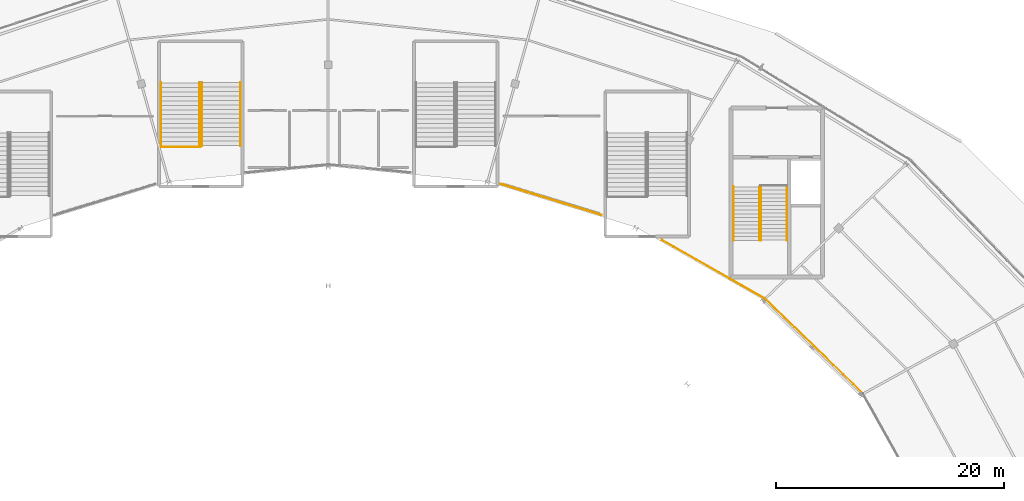
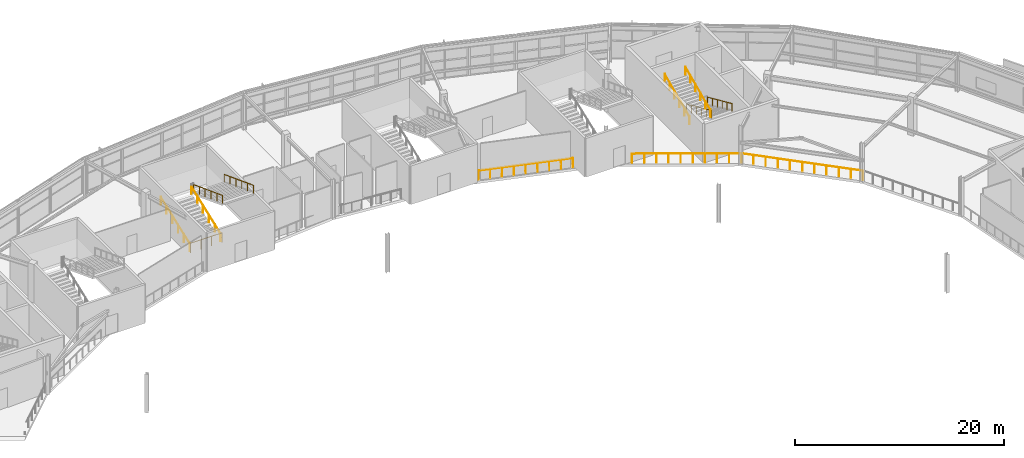
# One storey, part 123 of 126: 12 railings.
"""IFC4 building model written with IfcOpenShell, lengths in metres."""

from ifc_helpers import new_model, si_unit, direction, frame, origin, origin_2d, place, context, subcontext, project, spatial, circle, extrude, material, type_object, element, save


model = new_model("IFC4")

# Units and contexts
model_context = context("Model", 3, precision=1e-05, world=origin(), true_north=direction((0.0, 1.0)))
body_context = subcontext(model_context, "Body", "Model", "MODEL_VIEW")
ifc_project = project(units=[si_unit("LENGTHUNIT", "METRE"), si_unit("AREAUNIT", "SQUARE_METRE"), si_unit("VOLUMEUNIT", "CUBIC_METRE"), si_unit("PLANEANGLEUNIT", "RADIAN"), si_unit("MASSUNIT", "GRAM", prefix="KILO")], contexts=[model_context])

# Site, building, storey
site_placement = place(None, origin())
site = spatial("IfcSite", under=ifc_project, at=site_placement, CompositionType="ELEMENT")
building_placement = place(site_placement, origin())
building = spatial("IfcBuilding", under=site, at=building_placement, Name="Kalgoora Escarpment Arena", CompositionType="ELEMENT")
storey_placement = place(building_placement, frame((0.0, 0.0, 18.89990234375)))
storey = spatial("IfcBuildingStorey", under=building, at=storey_placement, Name="L04", CompositionType="ELEMENT", Elevation=18.89990234375)

# Railings
ifc_material_1 = material(Name="Galvanised & powdercoated tubular steel", Category="steel")
railing_type_1 = type_object("IfcRailingType", Name="RAL-GUARD-1120", PredefinedType="GUARDRAIL", material=ifc_material_1)
railing_1_placement = place(storey_placement, frame((77.7099609375, 105.81005859375, 0.0)))
element("IfcRailing", 1, at=railing_1_placement, inside=storey, type_object=railing_type_1, Name="ST10 L04 floor landing well guard", PredefinedType="GUARDRAIL", context=body_context, shape_type="SweptSolid", body=[
    extrude(circle(Radius=0.02392578125, at=origin_2d()), frame((0.0, 0.0, 1.09619140625), z_axis=(1.0, 0.0, 0.0), x_axis=(0.0, 1.0, 0.0)), (0.0, 0.0, 1.0), 3.489990234375),
    extrude(circle(Radius=0.02099609375, at=origin_2d()), origin(), (0.0, 0.0, 1.0), 1.072021484375),
    extrude(circle(Radius=0.02099609375, at=origin_2d()), frame((1.163330078125, 0.0, 0.0)), (0.0, 0.0, 1.0), 1.072021484375),
    extrude(circle(Radius=0.02099609375, at=origin_2d()), frame((2.32666015625, 0.0, 0.0)), (0.0, 0.0, 1.0), 1.072021484375),
    extrude(circle(Radius=0.02099609375, at=origin_2d()), frame((3.489990234375, 0.0, 0.0)), (0.0, 0.0, 1.0), 1.072021484375),
])
railing_2_placement = place(storey_placement, frame((139.3818359375, 84.125, 0.0)))
element("IfcRailing", 2, at=railing_2_placement, inside=storey, type_object=railing_type_1, Name="L04 concourse bowl balustrade 03", PredefinedType="GUARDRAIL", context=body_context, shape_type="SweptSolid", body=[
    extrude(circle(Radius=0.02392578125, at=origin_2d()), frame((0.0, 0.0, 1.09619140625), z_axis=(-0.718905968005, 0.695107336436, 0.0), x_axis=(-0.695107336436, -0.718905968005, 0.0)), (0.0, 0.0, 1.0), 11.9921875),
    extrude(circle(Radius=0.02099609375, at=origin_2d()), origin(), (0.0, 0.0, 1.0), 1.072021484375),
    extrude(circle(Radius=0.02099609375, at=origin_2d()), frame((-0.862060546875, 0.83349609375, 0.0)), (0.0, 0.0, 1.0), 1.072021484375),
    extrude(circle(Radius=0.02099609375, at=origin_2d()), frame((-1.724365234375, 1.667236328125, 0.0)), (0.0, 0.0, 1.0), 1.072021484375),
    extrude(circle(Radius=0.02099609375, at=origin_2d()), frame((-2.58642578125, 2.500732421875, 0.0)), (0.0, 0.0, 1.0), 1.072021484375),
    extrude(circle(Radius=0.02099609375, at=origin_2d()), frame((-3.448486328125, 3.33447265625, 0.0)), (0.0, 0.0, 1.0), 1.072021484375),
    extrude(circle(Radius=0.02099609375, at=origin_2d()), frame((-4.310546875, 4.16796875, 0.0)), (0.0, 0.0, 1.0), 1.072021484375),
    extrude(circle(Radius=0.02099609375, at=origin_2d()), frame((-5.1728515625, 5.00146484375, 0.0)), (0.0, 0.0, 1.0), 1.072021484375),
    extrude(circle(Radius=0.02099609375, at=origin_2d()), frame((-6.034912109375, 5.835205078125, 0.0)), (0.0, 0.0, 1.0), 1.072021484375),
    extrude(circle(Radius=0.02099609375, at=origin_2d()), frame((-6.89697265625, 6.668701171875, 0.0)), (0.0, 0.0, 1.0), 1.072021484375),
    extrude(circle(Radius=0.02099609375, at=origin_2d()), frame((-7.75927734375, 7.50244140625, 0.0)), (0.0, 0.0, 1.0), 1.072021484375),
    extrude(circle(Radius=0.02099609375, at=origin_2d()), frame((-8.621337890625, 8.3359375, 0.0)), (0.0, 0.0, 1.0), 1.072021484375),
])
railing_3_placement = place(storey_placement, frame((130.760498046875, 92.4609375, 0.0)))
element("IfcRailing", 3, at=railing_3_placement, inside=storey, type_object=railing_type_1, Name="L04 concourse bowl balustrade 04", PredefinedType="GUARDRAIL", context=body_context, shape_type="SweptSolid", body=[
    extrude(circle(Radius=0.02392578125, at=origin_2d()), frame((0.0, 0.0, 1.09619140625), z_axis=(-0.869025858852, 0.494766668892, 0.0), x_axis=(-0.494766668892, -0.869025858852, 0.0)), (0.0, 0.0, 1.0), 10.427490234375),
    extrude(circle(Radius=0.02099609375, at=origin_2d()), origin(), (0.0, 0.0, 1.0), 1.072021484375),
    extrude(circle(Radius=0.02099609375, at=origin_2d()), frame((-1.0068359375, 0.5732421875, 0.0)), (0.0, 0.0, 1.0), 1.072021484375),
    extrude(circle(Radius=0.02099609375, at=origin_2d()), frame((-2.013671875, 1.146484375, 0.0)), (0.0, 0.0, 1.0), 1.072021484375),
    extrude(circle(Radius=0.02099609375, at=origin_2d()), frame((-3.0205078125, 1.7197265625, 0.0)), (0.0, 0.0, 1.0), 1.072021484375),
    extrude(circle(Radius=0.02099609375, at=origin_2d()), frame((-4.02734375, 2.29296875, 0.0)), (0.0, 0.0, 1.0), 1.072021484375),
    extrude(circle(Radius=0.02099609375, at=origin_2d()), frame((-5.034423828125, 2.8662109375, 0.0)), (0.0, 0.0, 1.0), 1.072021484375),
    extrude(circle(Radius=0.02099609375, at=origin_2d()), frame((-6.041259765625, 3.439453125, 0.0)), (0.0, 0.0, 1.0), 1.072021484375),
    extrude(circle(Radius=0.02099609375, at=origin_2d()), frame((-7.048095703125, 4.0126953125, 0.0)), (0.0, 0.0, 1.0), 1.072021484375),
    extrude(circle(Radius=0.02099609375, at=origin_2d()), frame((-8.054931640625, 4.5859375, 0.0)), (0.0, 0.0, 1.0), 1.072021484375),
    extrude(circle(Radius=0.02099609375, at=origin_2d()), frame((-9.061767578125, 5.1591796875, 0.0)), (0.0, 0.0, 1.0), 1.072021484375),
])
railing_4_placement = place(storey_placement, frame((116.419921875, 99.811767578125, 0.0)))
element("IfcRailing", 4, at=railing_4_placement, inside=storey, type_object=railing_type_1, Name="L04 concourse bowl balustrade 05", PredefinedType="GUARDRAIL", context=body_context, shape_type="SweptSolid", body=[
    extrude(circle(Radius=0.02392578125, at=origin_2d()), frame((0.0, 0.0, 1.09619140625), z_axis=(-0.955882265532, 0.293750054368, 0.0), x_axis=(-0.293750054368, -0.955882265532, 0.0)), (0.0, 0.0, 1.0), 9.247802734375),
    extrude(circle(Radius=0.02099609375, at=origin_2d()), origin(), (0.0, 0.0, 1.0), 1.072021484375),
    extrude(circle(Radius=0.02099609375, at=origin_2d()), frame((-1.10498046875, 0.339599609375, 0.0)), (0.0, 0.0, 1.0), 1.072021484375),
    extrude(circle(Radius=0.02099609375, at=origin_2d()), frame((-2.2099609375, 0.67919921875, 0.0)), (0.0, 0.0, 1.0), 1.072021484375),
    extrude(circle(Radius=0.02099609375, at=origin_2d()), frame((-3.31494140625, 1.018798828125, 0.0)), (0.0, 0.0, 1.0), 1.072021484375),
    extrude(circle(Radius=0.02099609375, at=origin_2d()), frame((-4.419921875, 1.3583984375, 0.0)), (0.0, 0.0, 1.0), 1.072021484375),
    extrude(circle(Radius=0.02099609375, at=origin_2d()), frame((-5.52490234375, 1.69775390625, 0.0)), (0.0, 0.0, 1.0), 1.072021484375),
    extrude(circle(Radius=0.02099609375, at=origin_2d()), frame((-6.6298828125, 2.037353515625, 0.0)), (0.0, 0.0, 1.0), 1.072021484375),
    extrude(circle(Radius=0.02099609375, at=origin_2d()), frame((-7.73486328125, 2.376953125, 0.0)), (0.0, 0.0, 1.0), 1.072021484375),
    extrude(circle(Radius=0.02099609375, at=origin_2d()), frame((-8.83984375, 2.716552734375, 0.0)), (0.0, 0.0, 1.0), 1.072021484375),
])
ifc_material_2 = material(Name="Brushed stainless steel 316 handrail", Category="steel")
railing_type_2 = type_object("IfcRailingType", Name="RAL-HAND-920", PredefinedType="HANDRAIL", material=ifc_material_2)
for number, where, name in (
    (5, (132.699951171875, 102.31005859375, 0.110107421875), "ST04 L04 pitched stair handrail F1L"),
    (6, (130.405029296875, 102.31005859375, 0.110107421875), "ST04 L04 pitched stair handrail F1R"),
):
    element("IfcRailing", number, at=place(storey_placement, frame(where)), inside=storey, type_object=railing_type_2, Name=name, PredefinedType="HANDRAIL", context=body_context, shape_type="SweptSolid", body=[
        extrude(circle(Radius=0.02392578125, at=origin_2d()), frame((0.0, 0.0, 0.89599609375), z_axis=(0.0, -0.913643874524, 0.406515523129), x_axis=(1.0, 0.0, 0.0)), (0.0, 0.0, 1.0), 5.166015625),
        extrude(circle(Radius=0.02099609375, at=origin_2d()), origin(), (0.0, 0.0, 1.0), 0.871826171875),
        extrude(circle(Radius=0.02099609375, at=origin_2d()), frame((0.0, -0.944091796875, 0.419921875)), (0.0, 0.0, 1.0), 0.871826171875),
        extrude(circle(Radius=0.02099609375, at=origin_2d()), frame((0.0, -1.887939453125, 0.840087890625)), (0.0, 0.0, 1.0), 0.871826171875),
        extrude(circle(Radius=0.02099609375, at=origin_2d()), frame((0.0, -2.83203125, 1.260009765625)), (0.0, 0.0, 1.0), 0.871826171875),
        extrude(circle(Radius=0.02099609375, at=origin_2d()), frame((0.0, -3.77587890625, 1.68017578125)), (0.0, 0.0, 1.0), 0.871826171875),
        extrude(circle(Radius=0.02099609375, at=origin_2d()), frame((0.0, -4.719970703125, 2.10009765625)), (0.0, 0.0, 1.0), 0.871826171875),
    ])
for number, where, name in (
    (7, (130.294921875, 97.590087890625, 2.360107421875), "ST04 L04 pitched stair handrail F2L"),
    (8, (128.0, 97.590087890625, 2.360107421875), "ST04 L04 pitched stair handrail F2R"),
):
    element("IfcRailing", number, at=place(storey_placement, frame(where)), inside=storey, type_object=railing_type_2, Name=name, PredefinedType="HANDRAIL", context=body_context, shape_type="SweptSolid", body=[
        extrude(circle(Radius=0.02392578125, at=origin_2d()), frame((0.0, 0.0, 0.89599609375), z_axis=(0.0, 0.913643874524, 0.406515523129), x_axis=(-1.0, 0.0, 0.0)), (0.0, 0.0, 1.0), 5.166015625),
        extrude(circle(Radius=0.02099609375, at=origin_2d()), origin(), (0.0, 0.0, 1.0), 0.871826171875),
        extrude(circle(Radius=0.02099609375, at=origin_2d()), frame((0.0, 0.944091796875, 0.419921875)), (0.0, 0.0, 1.0), 0.871826171875),
        extrude(circle(Radius=0.02099609375, at=origin_2d()), frame((0.0, 1.887939453125, 0.840087890625)), (0.0, 0.0, 1.0), 0.871826171875),
        extrude(circle(Radius=0.02099609375, at=origin_2d()), frame((0.0, 2.83203125, 1.260009765625)), (0.0, 0.0, 1.0), 0.871826171875),
        extrude(circle(Radius=0.02099609375, at=origin_2d()), frame((0.0, 3.77587890625, 1.68017578125)), (0.0, 0.0, 1.0), 0.871826171875),
        extrude(circle(Radius=0.02099609375, at=origin_2d()), frame((0.0, 4.719970703125, 2.10009765625)), (0.0, 0.0, 1.0), 0.871826171875),
    ])
for number, where, name in (
    (9, (77.699951171875, 105.889892578125, 0.110107421875), "ST10 L04 pitched stair handrail F1L"),
    (10, (81.090087890625, 105.889892578125, 0.110107421875), "ST10 L04 pitched stair handrail F1R"),
):
    element("IfcRailing", number, at=place(storey_placement, frame(where)), inside=storey, type_object=railing_type_2, Name=name, PredefinedType="HANDRAIL", context=body_context, shape_type="SweptSolid", body=[
        extrude(circle(Radius=0.02392578125, at=origin_2d()), frame((0.0, 0.0, 0.89599609375), z_axis=(0.0, 0.935492612948, 0.353346248203), x_axis=(-1.0, 0.0, 0.0)), (0.0, 0.0, 1.0), 5.943359375),
        extrude(circle(Radius=0.02099609375, at=origin_2d()), origin(), (0.0, 0.0, 1.0), 0.871826171875),
        extrude(circle(Radius=0.02099609375, at=origin_2d()), frame((0.0, 1.112060546875, 0.419921875)), (0.0, 0.0, 1.0), 0.871826171875),
        extrude(circle(Radius=0.02099609375, at=origin_2d()), frame((0.0, 2.22412109375, 0.840087890625)), (0.0, 0.0, 1.0), 0.871826171875),
        extrude(circle(Radius=0.02099609375, at=origin_2d()), frame((0.0, 3.3359375, 1.260009765625)), (0.0, 0.0, 1.0), 0.871826171875),
        extrude(circle(Radius=0.02099609375, at=origin_2d()), frame((0.0, 4.447998046875, 1.68017578125)), (0.0, 0.0, 1.0), 0.871826171875),
        extrude(circle(Radius=0.02099609375, at=origin_2d()), frame((0.0, 5.56005859375, 2.10009765625)), (0.0, 0.0, 1.0), 0.871826171875),
    ])
for number, where, name in (
    (11, (81.31005859375, 111.449951171875, 2.360107421875), "ST10 L04 pitched stair handrail F2L"),
    (12, (84.699951171875, 111.449951171875, 2.360107421875), "ST10 L04 pitched stair handrail F2R"),
):
    element("IfcRailing", number, at=place(storey_placement, frame(where)), inside=storey, type_object=railing_type_2, Name=name, PredefinedType="HANDRAIL", context=body_context, shape_type="SweptSolid", body=[
        extrude(circle(Radius=0.02392578125, at=origin_2d()), frame((0.0, 0.0, 0.89599609375), z_axis=(0.0, -0.935492612948, 0.353346248203), x_axis=(1.0, 0.0, 0.0)), (0.0, 0.0, 1.0), 5.943359375),
        extrude(circle(Radius=0.02099609375, at=origin_2d()), origin(), (0.0, 0.0, 1.0), 0.871826171875),
        extrude(circle(Radius=0.02099609375, at=origin_2d()), frame((0.0, -1.112060546875, 0.419921875)), (0.0, 0.0, 1.0), 0.871826171875),
        extrude(circle(Radius=0.02099609375, at=origin_2d()), frame((0.0, -2.22412109375, 0.840087890625)), (0.0, 0.0, 1.0), 0.871826171875),
        extrude(circle(Radius=0.02099609375, at=origin_2d()), frame((0.0, -3.3359375, 1.260009765625)), (0.0, 0.0, 1.0), 0.871826171875),
        extrude(circle(Radius=0.02099609375, at=origin_2d()), frame((0.0, -4.447998046875, 1.68017578125)), (0.0, 0.0, 1.0), 0.871826171875),
        extrude(circle(Radius=0.02099609375, at=origin_2d()), frame((0.0, -5.56005859375, 2.10009765625)), (0.0, 0.0, 1.0), 0.871826171875),
    ])

save(model, "model.ifc")
